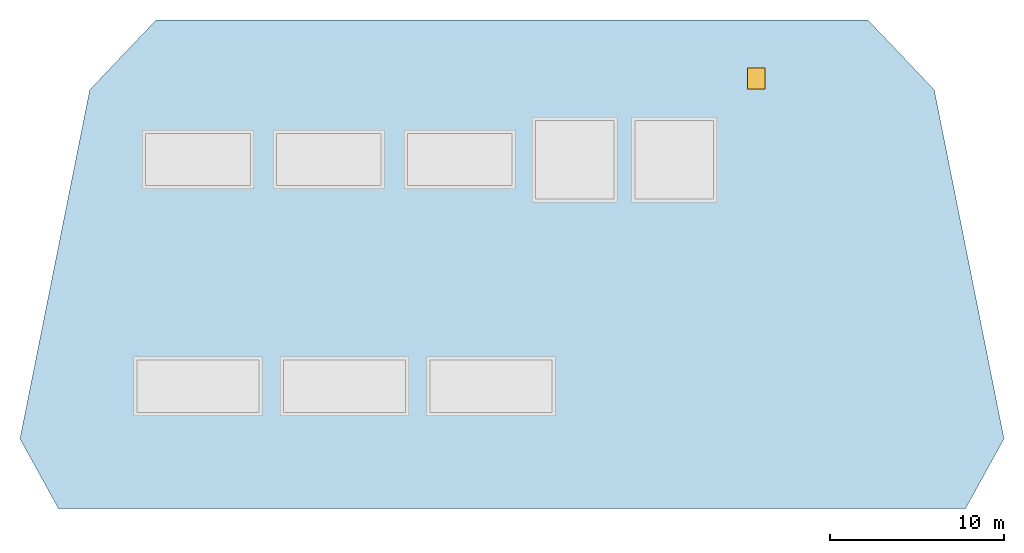
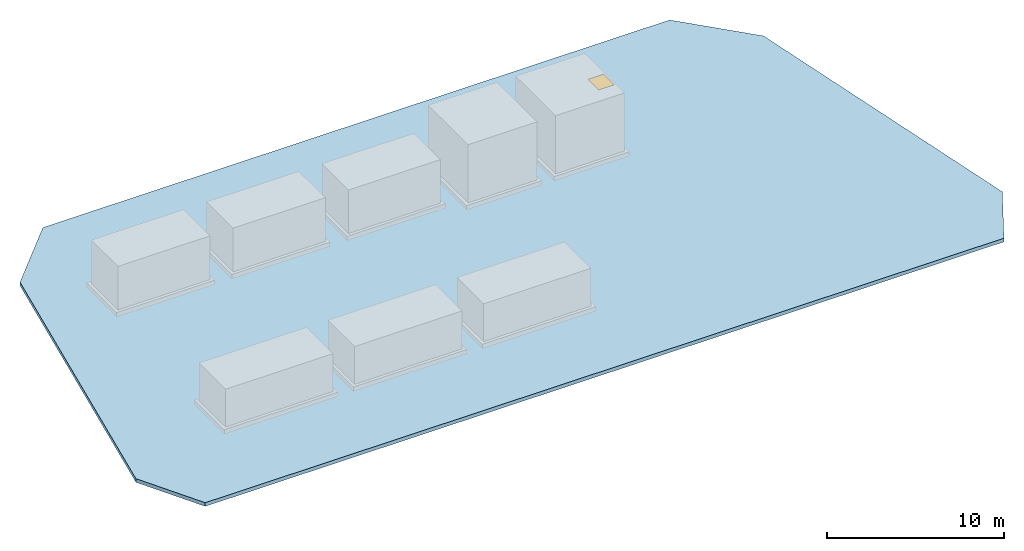
# One storey, part 1 of 2: 1 slab, 1 window, 1 opening.
"""IFC4 building model written with IfcOpenShell, lengths in metres."""

from ifc_helpers import new_model, si_unit, direction, frame, origin, origin_2d, place, context, subcontext, project, spatial, polyline, rectangle, outline, extrude, material, layer, layer_set, type_object, element, fill, save


model = new_model("IFC4")

# Units and contexts
model_context = context("Model", 3, precision=1e-05, world=origin(), true_north=direction((0.0, 1.0)))
body_context = subcontext(model_context, "Body", "Model", "MODEL_VIEW")
ifc_project = project(units=[si_unit("LENGTHUNIT", "METRE"), si_unit("AREAUNIT", "SQUARE_METRE"), si_unit("VOLUMEUNIT", "CUBIC_METRE"), si_unit("PLANEANGLEUNIT", "RADIAN"), si_unit("MASSUNIT", "GRAM", prefix="KILO")], contexts=[model_context])

# Site, building, storey
site_placement = place(None, origin())
site = spatial("IfcSite", under=ifc_project, at=site_placement, CompositionType="ELEMENT")
building_placement = place(site_placement, origin())
building = spatial("IfcBuilding", under=site, at=building_placement, Name="Isbrekke Arena Tower", CompositionType="ELEMENT")
storey_placement = place(building_placement, frame((0.0, 0.0, 330.0)))
storey = spatial("IfcBuildingStorey", under=building, at=storey_placement, Name="ROOF", CompositionType="ELEMENT", Elevation=330.0)

# Slab, opening, window
ifc_material_1 = material(Name="Concrete B35 (C35/45)", Category="concrete")
ifc_layer = layer(ifc_material_1, 0.25)
ifc_layer_set = layer_set([ifc_layer], Name="RS1 ROOF SLAB 250")
slab_type = type_object("IfcSlabType", Name="RS1 ROOF SLAB 250", PredefinedType="ROOF", material=ifc_layer_set)
slab_placement = place(storey_placement, frame((0.0, 0.0, -0.25)))
slab = element("IfcSlab", 1, at=slab_placement, inside=storey, type_object=slab_type, Name="RS1 roof slab", PredefinedType="ROOF", context=body_context, shape_type="SweptSolid", body=[
    extrude(outline(polyline([(-26.0, 2.0), (26.0, 2.0), (28.199951171875, 6.0), (24.199951171875, 26.0), (20.39990234375, 30.0), (-20.39990234375, 30.0), (-24.199951171875, 26.0), (-28.199951171875, 6.0), (-26.0, 2.0)])), origin(), (0.0, 0.0, 1.0), 0.25),
])
opening_placement = place(slab_placement, frame((14.0, 26.64990234375, 0.0)))
opening = element("IfcOpeningElement", 2, at=opening_placement, cuts=slab, Name="Opening RH1", PredefinedType="OPENING", context=body_context, shape_type="SweptSolid", body=[
    extrude(rectangle(XDim=1.0, YDim=1.199951171875, at=origin_2d()), frame((0.0, 0.0, -0.014892578125)), (0.0, 0.0, 1.0), 0.27978515625),
])
ifc_material_2 = material(Name="Insulated aluminium roof hatch", Category="aluminium")
window_type = type_object("IfcWindowType", Name="RH1 ROOF ACCESS HATCH 1000 x 1200", PartitioningType="SINGLE_PANEL", PredefinedType="SKYLIGHT", material=ifc_material_2)
window_placement = place(opening_placement, frame((0.0, 0.0, 0.199951171875)))
window = element("IfcWindow", 3, at=window_placement, inside=storey, type_object=window_type, Name="RH1 roof access hatch", OverallHeight=1.199951171875, OverallWidth=1.0, PartitioningType="SINGLE_PANEL", PredefinedType="SKYLIGHT", context=body_context, shape_type="SweptSolid", body=[
    extrude(rectangle(XDim=1.0, YDim=1.199951171875, at=origin_2d()), origin(), (0.0, 0.0, 1.0), 0.050048828125),
])
fill(opening, window)

save(model, "model.ifc")
